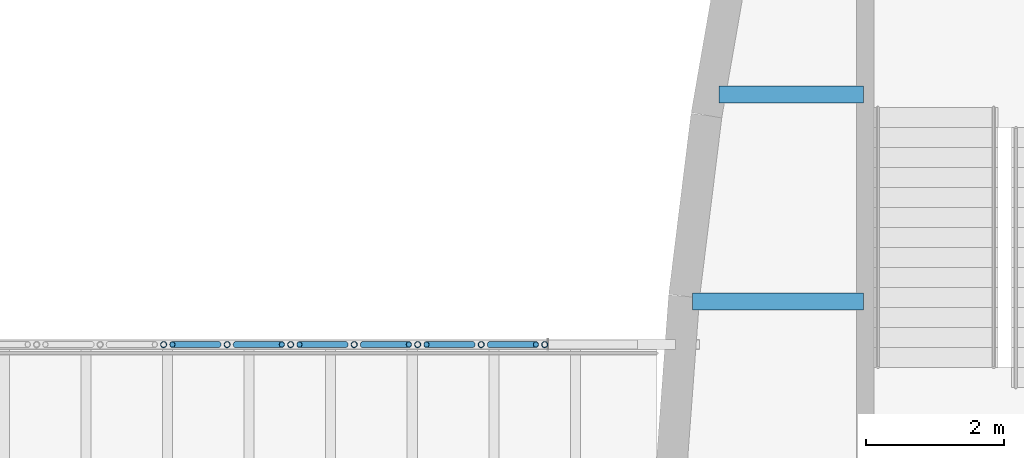
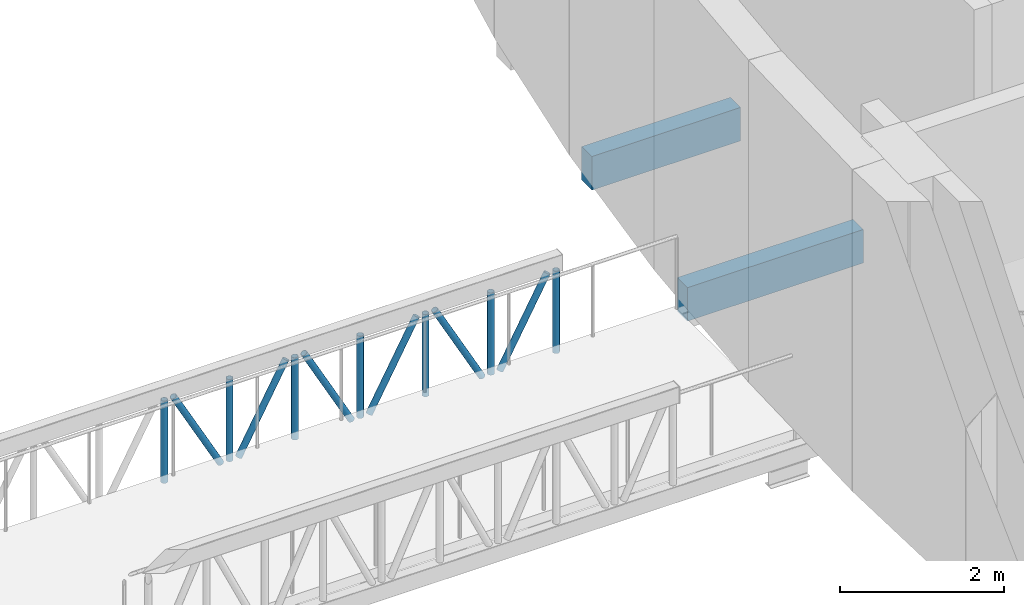
# One storey, part 16 of 93: 13 members, 2 beams.
"""IFC4 building model written with IfcOpenShell, lengths in metres."""

from ifc_helpers import new_model, si_unit, direction, frame, origin, origin_2d, place, context, subcontext, project, spatial, rectangle, hollow_circle, extrude, material, material_profile, profile_set, type_object, element, save


model = new_model("IFC4")

# Units and contexts
model_context = context("Model", 3, precision=1e-05, world=origin(), true_north=direction((0.0, 1.0)))
body_context = subcontext(model_context, "Body", "Model", "MODEL_VIEW")
ifc_project = project(units=[si_unit("LENGTHUNIT", "METRE"), si_unit("AREAUNIT", "SQUARE_METRE"), si_unit("VOLUMEUNIT", "CUBIC_METRE"), si_unit("PLANEANGLEUNIT", "RADIAN"), si_unit("MASSUNIT", "GRAM", prefix="KILO")], contexts=[model_context])

# Site, building, storey
site_placement = place(None, origin())
site = spatial("IfcSite", under=ifc_project, at=site_placement, CompositionType="ELEMENT")
building_placement = place(site_placement, origin())
building = spatial("IfcBuilding", under=site, at=building_placement, Name="Tide Square Theatres", CompositionType="ELEMENT")
storey_placement = place(building_placement, frame((0.0, 0.0, 5.39990234375)))
storey = spatial("IfcBuildingStorey", under=building, at=storey_placement, Name="L01", CompositionType="ELEMENT", Elevation=5.39990234375)

# Beams
ifc_material_1 = material(Name="Concrete C35", Category="concrete")
ifc_material_profile_1 = material_profile(ifc_material_1, rectangle(XDim=0.25, YDim=0.5, at=origin_2d()))
ifc_profile_set_1 = profile_set([ifc_material_profile_1], Name="Concrete C35")
beam_type = type_object("IfcBeamType", Name="RC beam 250 x 500", PredefinedType="BEAM", material=ifc_profile_set_1)
beam_1_placement = place(storey_placement, frame((63.26953125, 60.199951171875, -0.5), z_axis=(1.0, 0.0, 0.0), x_axis=(0.0, 1.0, 0.0)))
element("IfcBeam", 1, at=beam_1_placement, inside=storey, type_object=beam_type, Name="Floor beam", PredefinedType="BEAM", context=body_context, shape_type="SweptSolid", body=[
    extrude(rectangle(XDim=0.25, YDim=0.5, at=origin_2d()), origin(), (0.0, 0.0, 1.0), 2.48046875),
])
beam_2_placement = place(storey_placement, frame((63.654052734375, 63.199951171875, -0.5), z_axis=(1.0, 0.0, 0.0), x_axis=(0.0, 1.0, 0.0)))
element("IfcBeam", 2, at=beam_2_placement, inside=storey, type_object=beam_type, Name="Floor beam", PredefinedType="BEAM", context=body_context, shape_type="SweptSolid", body=[
    extrude(rectangle(XDim=0.25, YDim=0.5, at=origin_2d()), origin(), (0.0, 0.0, 1.0), 2.095947265625),
])

# Members
ifc_material_2 = material(Name="Steel ASTM A500 Grade C", Category="steel")
ifc_material_profile_2 = material_profile(ifc_material_2, hollow_circle(Radius=0.04443359375, WallThickness=0.0048828125, at=origin_2d()))
ifc_profile_set_2 = profile_set([ifc_material_profile_2], Name="Steel ASTM A500 Grade C")
member_type_1 = type_object("IfcMemberType", Name="Steel brace CHS 88.9 x 5.0", PredefinedType="BRACE", material=ifc_profile_set_2)
for number, where, z_axis, x_axis, name in (
    (3, (55.728271484375, 59.574951171875, 1.0751953125), (0.477895186301, 0.0, -0.878416866249), (0.0, 1.0, 0.0), "Bridge BR-W1 diagonal"),
    (4, (56.6494140625, 59.574951171875, -0.14990234375), (0.477895186301, 0.0, 0.878416866249), (0.0, 1.0, 0.0), "Bridge BR-W1 diagonal"),
    (5, (57.570556640625, 59.574951171875, 1.0751953125), (0.477895186301, 0.0, -0.878416866249), (0.0, 1.0, 0.0), "Bridge BR-W1 diagonal"),
    (6, (58.49169921875, 59.574951171875, -0.14990234375), (0.477895186301, 0.0, 0.878416866249), (0.0, 1.0, 0.0), "Bridge BR-W1 diagonal"),
    (7, (59.412841796875, 59.574951171875, 1.0751953125), (0.477895186301, 0.0, -0.878416866249), (0.0, 1.0, 0.0), "Bridge BR-W1 diagonal"),
    (8, (60.333984375, 59.574951171875, -0.14990234375), (0.477895186301, 0.0, 0.878416866249), (0.0, 1.0, 0.0), "Bridge BR-W1 diagonal"),
):
    element("IfcMember", number, at=place(storey_placement, frame(where, z_axis=z_axis, x_axis=x_axis)), inside=storey, type_object=member_type_1, Name=name, PredefinedType="BRACE", context=body_context, shape_type="SweptSolid", body=[
        extrude(hollow_circle(Radius=0.04443359375, WallThickness=0.0048828125, at=origin_2d()), origin(), (0.0, 0.0, 1.0), 1.394775390625),
    ])
ifc_material_3 = material(Name="Steel ASTM A500 Grade C", Category="steel")
ifc_material_profile_3 = material_profile(ifc_material_3, hollow_circle(Radius=0.04443359375, WallThickness=0.0048828125, at=origin_2d()))
ifc_profile_set_3 = profile_set([ifc_material_profile_3], Name="Steel ASTM A500 Grade C")
member_type_2 = type_object("IfcMemberType", Name="Steel strut CHS 88.9 x 5.0", PredefinedType="STRUT", material=ifc_profile_set_3)
for number, where, z_axis, x_axis, name in (
    (9, (55.60107421875, 59.574951171875, -0.14990234375), (0.0, 0.0, 1.0), (1.0, 0.0, 0.0), "Bridge BR-W1 post"),
    (10, (56.522216796875, 59.574951171875, -0.14990234375), (0.0, 0.0, 1.0), (1.0, 0.0, 0.0), "Bridge BR-W1 post"),
    (11, (57.443115234375, 59.574951171875, -0.14990234375), (0.0, 0.0, 1.0), (1.0, 0.0, 0.0), "Bridge BR-W1 post"),
    (12, (58.3642578125, 59.574951171875, -0.14990234375), (0.0, 0.0, 1.0), (1.0, 0.0, 0.0), "Bridge BR-W1 post"),
    (13, (59.285400390625, 59.574951171875, -0.14990234375), (0.0, 0.0, 1.0), (1.0, 0.0, 0.0), "Bridge BR-W1 post"),
    (14, (60.20654296875, 59.574951171875, -0.14990234375), (0.0, 0.0, 1.0), (1.0, 0.0, 0.0), "Bridge BR-W1 post"),
    (15, (61.127685546875, 59.574951171875, -0.14990234375), (0.0, 0.0, 1.0), (1.0, 0.0, 0.0), "Bridge BR-W1 post"),
):
    element("IfcMember", number, at=place(storey_placement, frame(where, z_axis=z_axis, x_axis=x_axis)), inside=storey, type_object=member_type_2, Name=name, PredefinedType="STRUT", context=body_context, shape_type="SweptSolid", body=[
        extrude(hollow_circle(Radius=0.04443359375, WallThickness=0.0048828125, at=origin_2d()), origin(), (0.0, 0.0, 1.0), 1.22509765625),
    ])

save(model, "model.ifc")
